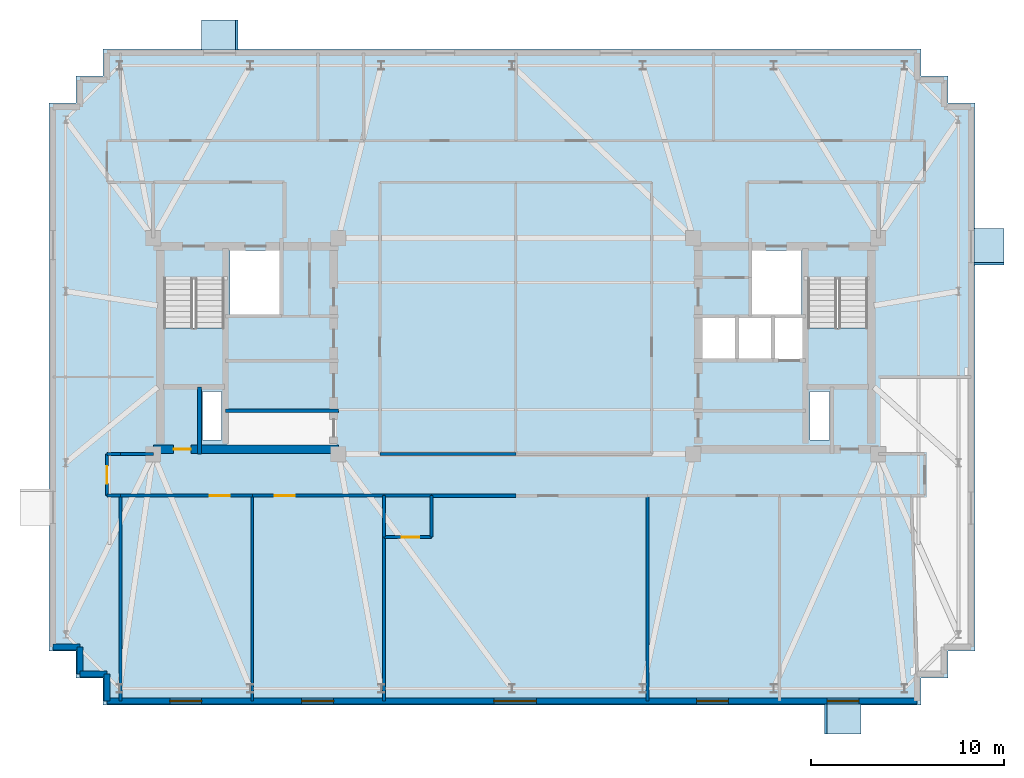
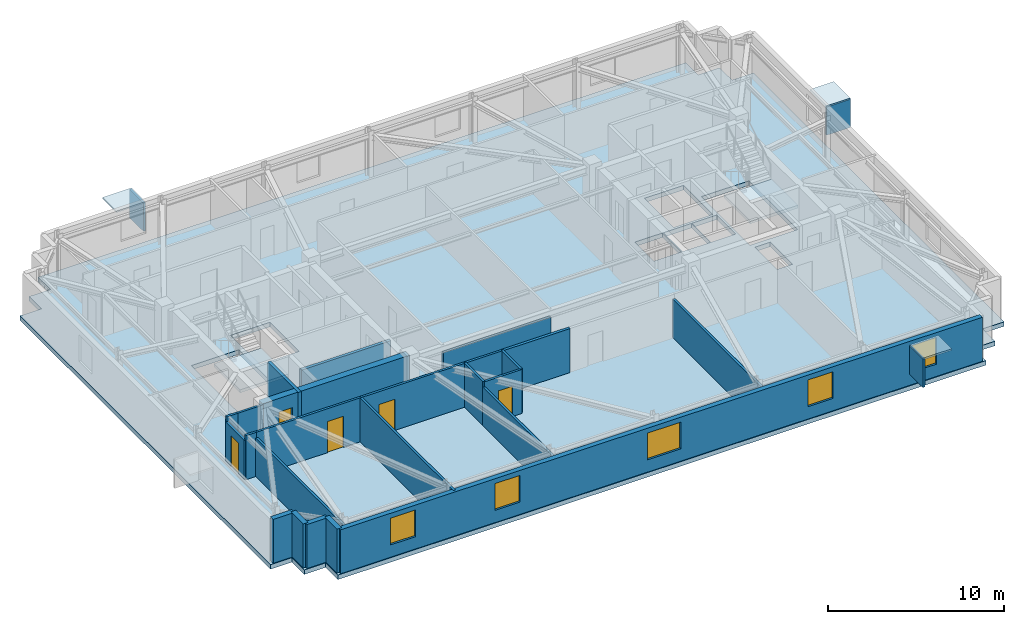
# One storey, part 5 of 10: 24 walls, 6 plates, 5 doors, 5 windows, 3 slabs, 10 openings, 2 elements without a shape of their own.
"""IFC4 building model written with IfcOpenShell, lengths in metres."""

from ifc_helpers import new_model, si_unit, direction, frame, frame_2d, origin, origin_2d, place, context, subcontext, project, spatial, polyline, rectangle, outline, extrude, material, layer, layer_set, type_object, element, fill, aggregate, save


model = new_model("IFC4")

# Units and contexts
model_context = context("Model", 3, precision=1e-05, world=origin(), true_north=direction((0.0, 1.0)))
body_context = subcontext(model_context, "Body", "Model", "MODEL_VIEW")
ifc_project = project(units=[si_unit("LENGTHUNIT", "METRE"), si_unit("AREAUNIT", "SQUARE_METRE"), si_unit("VOLUMEUNIT", "CUBIC_METRE"), si_unit("PLANEANGLEUNIT", "RADIAN"), si_unit("MASSUNIT", "GRAM", prefix="KILO")], contexts=[model_context])

# Site, building, storey
site_placement = place(None, origin())
site = spatial("IfcSite", under=ifc_project, at=site_placement, CompositionType="ELEMENT")
building_placement = place(site_placement, origin())
building = spatial("IfcBuilding", under=site, at=building_placement, Name="Qobustan Lattice House", CompositionType="ELEMENT")
storey_placement = place(building_placement, frame((0.0, 0.0, 235.0)))
storey = spatial("IfcBuildingStorey", under=building, at=storey_placement, Name="L66", CompositionType="ELEMENT", Elevation=235.0)

# Plates
ifc_material_1 = material(Name="Qobustan limestone GFRC", Category="masonry")
ifc_layer_1 = layer(ifc_material_1, 0.1201171875)
ifc_layer_set_1 = layer_set([ifc_layer_1], Name="Qobustan limestone GFRC")
plate_type = type_object("IfcPlateType", Name="SHD-HOOD-BROW", PredefinedType="USERDEFINED", material=ifc_layer_set_1)
plate_1_placement = place(storey_placement, frame((-15.360107421875, 16.1298828125, 2.699951171875), z_axis=(0.0, 0.0, 1.0), x_axis=(1.0, 0.0, 0.0)))
element("IfcPlate", 1, at=plate_1_placement, inside=storey, type_object=plate_type, Name="L66 splayed Qobustan stone hood brow", ObjectType="SUNSHADE", PredefinedType="USERDEFINED", context=body_context, shape_type="SweptSolid", body=[
    extrude(rectangle(XDim=1.889892578125, YDim=1.56005859375, at=origin_2d()), origin(), (0.0, 0.0, 1.0), 0.1201171875),
])
plate_2_placement = place(storey_placement, frame((-14.47509765625, 16.1298828125, 0.7900390625), z_axis=(0.0, 0.0, 1.0), x_axis=(1.0, 0.0, 0.0)))
element("IfcPlate", 2, at=plate_2_placement, inside=storey, type_object=plate_type, Name="L66 splayed Qobustan stone hood cheek", ObjectType="SUNSHADE", PredefinedType="USERDEFINED", context=body_context, shape_type="SweptSolid", body=[
    extrude(rectangle(XDim=0.1201171875, YDim=1.56005859375, at=origin_2d()), origin(), (0.0, 0.0, 1.0), 1.969970703125),
])
plate_3_placement = place(storey_placement, frame((24.530029296875, 5.159912109375, 2.699951171875), z_axis=(0.0, 0.0, 1.0), x_axis=(0.0, -1.0, 0.0)))
element("IfcPlate", 3, at=plate_3_placement, inside=storey, type_object=plate_type, Name="L66 splayed Qobustan stone hood brow", ObjectType="SUNSHADE", PredefinedType="USERDEFINED", context=body_context, shape_type="SweptSolid", body=[
    extrude(rectangle(XDim=1.889892578125, YDim=1.56005859375, at=origin_2d()), origin(), (0.0, 0.0, 1.0), 0.1201171875),
])
plate_4_placement = place(storey_placement, frame((24.530029296875, 4.27490234375, 0.7900390625), z_axis=(0.0, 0.0, 1.0), x_axis=(0.0, -1.0, 0.0)))
element("IfcPlate", 4, at=plate_4_placement, inside=storey, type_object=plate_type, Name="L66 splayed Qobustan stone hood cheek", ObjectType="SUNSHADE", PredefinedType="USERDEFINED", context=body_context, shape_type="SweptSolid", body=[
    extrude(rectangle(XDim=0.1201171875, YDim=1.56005859375, at=origin_2d()), origin(), (0.0, 0.0, 1.0), 1.969970703125),
])
plate_5_placement = place(storey_placement, frame((16.9599609375, -19.330078125, 2.699951171875), z_axis=(0.0, 0.0, 1.0), x_axis=(-1.0, 0.0, 0.0)))
element("IfcPlate", 5, at=plate_5_placement, inside=storey, type_object=plate_type, Name="L66 splayed Qobustan stone hood brow", ObjectType="SUNSHADE", PredefinedType="USERDEFINED", context=body_context, shape_type="SweptSolid", body=[
    extrude(rectangle(XDim=1.889892578125, YDim=1.56005859375, at=origin_2d()), origin(), (0.0, 0.0, 1.0), 0.1201171875),
])
plate_6_placement = place(storey_placement, frame((16.074951171875, -19.330078125, 0.7900390625), z_axis=(0.0, 0.0, 1.0), x_axis=(-1.0, 0.0, 0.0)))
element("IfcPlate", 6, at=plate_6_placement, inside=storey, type_object=plate_type, Name="L66 splayed Qobustan stone hood cheek", ObjectType="SUNSHADE", PredefinedType="USERDEFINED", context=body_context, shape_type="SweptSolid", body=[
    extrude(rectangle(XDim=0.1201171875, YDim=1.56005859375, at=origin_2d()), origin(), (0.0, 0.0, 1.0), 1.969970703125),
])

# Slab
ifc_material_2 = material(Name="Concrete C40/50", Category="concrete")
ifc_layer_2 = layer(ifc_material_2, 0.31005859375)
ifc_layer_set_2 = layer_set([ifc_layer_2], Name="Concrete C40/50")
slab_type_1 = type_object("IfcSlabType", Name="SLB-FLR-310", PredefinedType="FLOOR", material=ifc_layer_set_2)
slab_1_placement = place(storey_placement, frame((0.0, 0.0, -0.31005859375)))
element("IfcSlab", 7, at=slab_1_placement, inside=storey, type_object=slab_type_1, Name="L66 structural floor slab", PredefinedType="FLOOR", context=body_context, shape_type="SweptSolid", body=[
    extrude(outline(polyline([(-21.39990234375, -18.60009765625), (21.0, -18.60009765625), (21.0, -17.199951171875), (22.39990234375, -17.199951171875), (22.39990234375, -15.800048828125), (23.800048828125, -15.800048828125), (23.800048828125, 12.60009765625), (22.39990234375, 12.60009765625), (22.39990234375, 14.0), (21.0, 14.0), (21.0, 15.39990234375), (-21.39990234375, 15.39990234375), (-21.39990234375, 14.0), (-22.800048828125, 14.0), (-22.800048828125, 12.60009765625), (-24.199951171875, 12.60009765625), (-24.199951171875, -15.800048828125), (-22.800048828125, -15.800048828125), (-22.800048828125, -17.199951171875), (-21.39990234375, -17.199951171875), (-21.39990234375, -18.60009765625)]), holes=[polyline([(-18.25, -2.050048828125), (-18.25, 3.489990234375), (-15.1298828125, 3.489990234375), (-15.1298828125, -2.050048828125), (-18.25, -2.050048828125)]), polyline([(15.1298828125, -2.050048828125), (15.1298828125, 3.489990234375), (18.25, 3.489990234375), (18.25, -2.050048828125), (15.1298828125, -2.050048828125)]), polyline([(-14.820068359375, 1.64990234375), (-14.820068359375, 4.9599609375), (-12.25, 4.9599609375), (-12.25, 1.64990234375), (-14.820068359375, 1.64990234375)]), polyline([(12.25, 1.64990234375), (12.25, 4.9599609375), (14.820068359375, 4.9599609375), (14.820068359375, 1.64990234375), (12.25, 1.64990234375)]), polyline([(-16.260009765625, -4.8798828125), (-16.260009765625, -2.360107421875), (-15.260009765625, -2.360107421875), (-15.260009765625, -4.8798828125), (-16.260009765625, -4.8798828125)]), polyline([(15.260009765625, -4.8798828125), (15.260009765625, -2.360107421875), (16.260009765625, -2.360107421875), (16.260009765625, -4.8798828125), (15.260009765625, -4.8798828125)]), polyline([(13.360107421875, -0.679931640625), (13.360107421875, 1.47998046875), (14.97998046875, 1.47998046875), (14.97998046875, -0.679931640625), (13.360107421875, -0.679931640625)]), polyline([(9.6201171875, -0.679931640625), (9.6201171875, 1.47998046875), (11.43994140625, 1.47998046875), (11.43994140625, -0.679931640625), (9.6201171875, -0.679931640625)]), polyline([(11.5, -0.679931640625), (11.5, 1.47998046875), (13.320068359375, 1.47998046875), (13.320068359375, -0.679931640625), (11.5, -0.679931640625)])]), origin(), (0.0, 0.0, 1.0), 0.31005859375),
])

# Stair, slab
ifc_material_3 = material(Name="Concrete C40/50", Category="concrete")
stair_type = type_object("IfcStairType", Name="STR-CORE-DOGLEG", PredefinedType="HALF_TURN_STAIR", material=ifc_material_3)
stair_1_placement = place(storey_placement, origin())
stair_1 = element("IfcStair", 8, at=stair_1_placement, inside=storey, type_object=stair_type, Name="L66 West protected exit stair ST-W1", PredefinedType="HALF_TURN_STAIR")
ifc_material_4 = material(Name="Concrete C40/50", Category="concrete")
ifc_layer_3 = layer(ifc_material_4, 0.199951171875)
ifc_layer_set_3 = layer_set([ifc_layer_3], Name="Concrete C40/50")
slab_type_2 = type_object("IfcSlabType", Name="SLB-LANDING-200", PredefinedType="LANDING", material=ifc_layer_set_3)
slab_2_placement = place(storey_placement, frame((0.0, 0.0, 1.47509765625)))
slab_2 = element("IfcSlab", 9, at=slab_2_placement, type_object=slab_type_2, Name="ST-W1 landing 1", PredefinedType="LANDING", context=body_context, shape_type="SweptSolid", body=[
    extrude(outline(polyline([(-18.25, 0.93505859375), (-18.25, -2.050048828125), (-15.1298828125, -2.050048828125), (-15.1298828125, 0.93505859375), (-18.25, 0.93505859375)])), origin(), (0.0, 0.0, 1.0), 0.199951171875),
])
aggregate(stair_1, [slab_2])

stair_2_placement = place(storey_placement, origin())
stair_2 = element("IfcStair", 10, at=stair_2_placement, inside=storey, type_object=stair_type, Name="L66 East protected exit stair ST-E1", PredefinedType="HALF_TURN_STAIR")
slab_3_placement = place(storey_placement, frame((0.0, 0.0, 1.47509765625)))
slab_3 = element("IfcSlab", 11, at=slab_3_placement, type_object=slab_type_2, Name="ST-E1 landing 1", PredefinedType="LANDING", context=body_context, shape_type="SweptSolid", body=[
    extrude(outline(polyline([(15.1298828125, 0.93505859375), (15.1298828125, -2.050048828125), (18.25, -2.050048828125), (18.25, 0.93505859375), (15.1298828125, 0.93505859375)])), origin(), (0.0, 0.0, 1.0), 0.199951171875),
])
aggregate(stair_2, [slab_3])

# Wall, opening, door
ifc_material_5 = material(Name="Concrete C50/60", Category="concrete")
ifc_layer_4 = layer(ifc_material_5, 0.43994140625)
ifc_layer_set_4 = layer_set([ifc_layer_4], Name="Concrete C50/60")
wall_type_1 = type_object("IfcWallType", Name="WAL-CORE-440", PredefinedType="SHEAR", material=ifc_layer_set_4)
wall_1_placement = place(storey_placement, frame((-18.800048828125, -5.35009765625, 0.0), z_axis=(0.0, 0.0, 1.0), x_axis=(1.0, 0.0, 0.0)))
wall_1 = element("IfcWall", 12, at=wall_1_placement, inside=storey, type_object=wall_type_1, Name="L66 split-core shear wall CW-S", PredefinedType="SHEAR", context=body_context, shape_type="SweptSolid", body=[
    extrude(rectangle(XDim=9.60009765625, YDim=0.43994140625, at=frame_2d((4.800048828125, 0.0))), origin(), (0.0, 0.0, 1.0), 3.0400390625),
])
opening_1_placement = place(wall_1_placement, frame((1.050048828125, 0.0, 0.0)))
opening_1 = element("IfcOpeningElement", 13, at=opening_1_placement, cuts=wall_1, Name="Opening RD-01", PredefinedType="OPENING", context=body_context, shape_type="SweptSolid", body=[
    extrude(rectangle(XDim=0.89990234375, YDim=2.10009765625, at=frame_2d((0.449951171875, 1.050048828125))), frame((0.0, 0.22998046875, 0.0), z_axis=(0.0, -1.0, 0.0), x_axis=(1.0, 0.0, 0.0)), (0.0, 0.0, 1.0), 0.4599609375),
])
ifc_material_6 = material(Name="Persian walnut timber and steel frame door", Category="steel")
door_type_1 = type_object("IfcDoorType", Name="DOR-RISER-FD-900x2100", OperationType="NOTDEFINED", PredefinedType="DOOR", material=ifc_material_6)
door_1_placement = place(opening_1_placement, origin())
door_1 = element("IfcDoor", 14, at=door_1_placement, inside=storey, type_object=door_type_1, Name="L66 core service riser access door W", OperationType="SINGLE_SWING_RIGHT", OverallHeight=2.10009765625, OverallWidth=0.89990234375, PredefinedType="DOOR", context=body_context, shape_type="SweptSolid", body=[
    extrude(rectangle(XDim=0.89990234375, YDim=2.10009765625, at=frame_2d((0.449951171875, 1.050048828125))), frame((0.0, 0.02490234375, 0.0), z_axis=(0.0, -1.0, 0.0), x_axis=(1.0, 0.0, 0.0)), (0.0, 0.0, 1.0), 0.050048828125),
])
fill(opening_1, door_1)

# Walls
ifc_material_7 = material(Name="Precast concrete C40/50", Category="concrete")
ifc_layer_5 = layer(ifc_material_7, 0.320068359375)
ifc_layer_set_5 = layer_set([ifc_layer_5], Name="Precast concrete C40/50")
wall_type_2 = type_object("IfcWallType", Name="WAL-EXT-STONE-320", PredefinedType="SOLIDWALL", material=ifc_layer_set_5)
wall_2_placement = place(storey_placement, frame((-21.199951171875, -18.39990234375, 0.0), z_axis=(0.0, 0.0, 1.0), x_axis=(0.0, 1.0, 0.0)))
element("IfcWall", 15, at=wall_2_placement, inside=storey, type_object=wall_type_2, Name="L66 exterior limestone-clad wall 1", PredefinedType="SOLIDWALL", context=body_context, shape_type="SweptSolid", body=[
    extrude(rectangle(XDim=1.39990234375, YDim=0.320068359375, at=frame_2d((0.699951171875, 0.0))), origin(), (0.0, 0.0, 1.0), 3.0400390625),
])
wall_3_placement = place(storey_placement, frame((-21.199951171875, -17.0, 0.0), z_axis=(0.0, 0.0, 1.0), x_axis=(-1.0, 0.0, 0.0)))
element("IfcWall", 16, at=wall_3_placement, inside=storey, type_object=wall_type_2, Name="L66 exterior limestone-clad wall 2", PredefinedType="SOLIDWALL", context=body_context, shape_type="SweptSolid", body=[
    extrude(rectangle(XDim=1.400146484375, YDim=0.320068359375, at=frame_2d((0.7001953125, 0.0))), origin(), (0.0, 0.0, 1.0), 3.0400390625),
])
for number, where, z_axis, x_axis, name in (
    (17, (-22.60009765625, -17.0, 0.0), (0.0, 0.0, 1.0), (0.0, 1.0, 0.0), "L66 exterior limestone-clad wall 3"),
    (18, (-22.60009765625, -15.60009765625, 0.0), (0.0, 0.0, 1.0), (-1.0, 0.0, 0.0), "L66 exterior limestone-clad wall 4"),
):
    element("IfcWall", number, at=place(storey_placement, frame(where, z_axis=z_axis, x_axis=x_axis)), inside=storey, type_object=wall_type_2, Name=name, PredefinedType="SOLIDWALL", context=body_context, shape_type="SweptSolid", body=[
        extrude(rectangle(XDim=1.39990234375, YDim=0.320068359375, at=frame_2d((0.699951171875, 0.0))), origin(), (0.0, 0.0, 1.0), 3.0400390625),
    ])

# Wall, openings, windows
wall_4_placement = place(storey_placement, frame((20.800048828125, -18.39990234375, 0.0), z_axis=(0.0, 0.0, 1.0), x_axis=(-1.0, 0.0, 0.0)))
wall_4 = element("IfcWall", 19, at=wall_4_placement, inside=storey, type_object=wall_type_2, Name="L66 exterior limestone-clad wall 20", PredefinedType="SOLIDWALL", context=body_context, shape_type="SweptSolid", body=[
    extrude(rectangle(XDim=42.0, YDim=0.320068359375, at=frame_2d((21.0, 0.0))), origin(), (0.0, 0.0, 1.0), 3.0400390625),
])
opening_2_placement = place(wall_4_placement, frame((3.014892578125, 0.0, 0.85009765625)))
opening_2 = element("IfcOpeningElement", 20, at=opening_2_placement, cuts=wall_4, Name="Opening WN-09", PredefinedType="OPENING", context=body_context, shape_type="SweptSolid", body=[
    extrude(rectangle(XDim=1.64990234375, YDim=1.85009765625, at=frame_2d((0.824951171875, 0.925048828125))), frame((0.0, 0.169921875, 0.0), z_axis=(0.0, -1.0, 0.0), x_axis=(1.0, 0.0, 0.0)), (0.0, 0.0, 1.0), 0.340087890625),
])
opening_3_placement = place(wall_4_placement, frame((9.77490234375, 0.0, 0.85009765625)))
opening_3 = element("IfcOpeningElement", 21, at=opening_3_placement, cuts=wall_4, Name="Opening WN-09", PredefinedType="OPENING", context=body_context, shape_type="SweptSolid", body=[
    extrude(rectangle(XDim=1.64990234375, YDim=1.85009765625, at=frame_2d((0.824951171875, 0.925048828125))), frame((0.0, 0.169921875, 0.0), z_axis=(0.0, -1.0, 0.0), x_axis=(1.0, 0.0, 0.0)), (0.0, 0.0, 1.0), 0.340087890625),
])
opening_4_placement = place(wall_4_placement, frame((19.739990234375, 0.0, 0.85009765625)))
opening_4 = element("IfcOpeningElement", 22, at=opening_4_placement, cuts=wall_4, Name="Opening WN-03", PredefinedType="OPENING", context=body_context, shape_type="SweptSolid", body=[
    extrude(rectangle(XDim=2.199951171875, YDim=1.85009765625, at=frame_2d((1.10009765625, 0.925048828125))), frame((0.0, 0.169921875, 0.0), z_axis=(0.0, -1.0, 0.0), x_axis=(1.0, 0.0, 0.0)), (0.0, 0.0, 1.0), 0.340087890625),
])
opening_5_placement = place(wall_4_placement, frame((30.2548828125, 0.0, 0.85009765625)))
opening_5 = element("IfcOpeningElement", 23, at=opening_5_placement, cuts=wall_4, Name="Opening WN-09", PredefinedType="OPENING", context=body_context, shape_type="SweptSolid", body=[
    extrude(rectangle(XDim=1.64990234375, YDim=1.85009765625, at=frame_2d((0.824951171875, 0.925048828125))), frame((0.0, 0.169921875, 0.0), z_axis=(0.0, -1.0, 0.0), x_axis=(1.0, 0.0, 0.0)), (0.0, 0.0, 1.0), 0.340087890625),
])
opening_6_placement = place(wall_4_placement, frame((37.094970703125, 0.0, 0.85009765625)))
opening_6 = element("IfcOpeningElement", 24, at=opening_6_placement, cuts=wall_4, Name="Opening WN-09", PredefinedType="OPENING", context=body_context, shape_type="SweptSolid", body=[
    extrude(rectangle(XDim=1.64990234375, YDim=1.85009765625, at=frame_2d((0.824951171875, 0.925048828125))), frame((0.0, 0.169921875, 0.0), z_axis=(0.0, -1.0, 0.0), x_axis=(1.0, 0.0, 0.0)), (0.0, 0.0, 1.0), 0.340087890625),
])
ifc_material_8 = material(Name="Double-glazed low-E aluminium window", Category="aluminium")
window_type_1 = type_object("IfcWindowType", Name="WIN-STU-1650x1850", PartitioningType="SINGLE_PANEL", PredefinedType="WINDOW", material=ifc_material_8)
window_1_placement = place(opening_2_placement, origin())
window_1 = element("IfcWindow", 25, at=window_1_placement, inside=storey, type_object=window_type_1, Name="L66 Academic seminar room window", OverallHeight=1.85009765625, OverallWidth=1.64990234375, PartitioningType="SINGLE_PANEL", PredefinedType="WINDOW", context=body_context, shape_type="SweptSolid", body=[
    extrude(rectangle(XDim=1.64990234375, YDim=1.85009765625, at=frame_2d((0.824951171875, 0.925048828125))), frame((0.0, 0.030029296875, 0.0), z_axis=(0.0, -1.0, 0.0), x_axis=(1.0, 0.0, 0.0)), (0.0, 0.0, 1.0), 0.06005859375),
])
fill(opening_2, window_1)
window_2_placement = place(opening_3_placement, origin())
window_2 = element("IfcWindow", 26, at=window_2_placement, inside=storey, type_object=window_type_1, Name="L66 Group study room window", OverallHeight=1.85009765625, OverallWidth=1.64990234375, PartitioningType="SINGLE_PANEL", PredefinedType="WINDOW", context=body_context, shape_type="SweptSolid", body=[
    extrude(rectangle(XDim=1.64990234375, YDim=1.85009765625, at=frame_2d((0.824951171875, 0.925048828125))), frame((0.0, 0.030029296875, 0.0), z_axis=(0.0, -1.0, 0.0), x_axis=(1.0, 0.0, 0.0)), (0.0, 0.0, 1.0), 0.06005859375),
])
fill(opening_3, window_2)
window_3_placement = place(opening_5_placement, origin())
window_3 = element("IfcWindow", 27, at=window_3_placement, inside=storey, type_object=window_type_1, Name="L66 Focus study room S1B window", OverallHeight=1.85009765625, OverallWidth=1.64990234375, PartitioningType="SINGLE_PANEL", PredefinedType="WINDOW", context=body_context, shape_type="SweptSolid", body=[
    extrude(rectangle(XDim=1.64990234375, YDim=1.85009765625, at=frame_2d((0.824951171875, 0.925048828125))), frame((0.0, 0.030029296875, 0.0), z_axis=(0.0, -1.0, 0.0), x_axis=(1.0, 0.0, 0.0)), (0.0, 0.0, 1.0), 0.06005859375),
])
fill(opening_5, window_3)
window_4_placement = place(opening_6_placement, origin())
window_4 = element("IfcWindow", 28, at=window_4_placement, inside=storey, type_object=window_type_1, Name="L66 Focus study room S1A window", OverallHeight=1.85009765625, OverallWidth=1.64990234375, PartitioningType="SINGLE_PANEL", PredefinedType="WINDOW", context=body_context, shape_type="SweptSolid", body=[
    extrude(rectangle(XDim=1.64990234375, YDim=1.85009765625, at=frame_2d((0.824951171875, 0.925048828125))), frame((0.0, 0.030029296875, 0.0), z_axis=(0.0, -1.0, 0.0), x_axis=(1.0, 0.0, 0.0)), (0.0, 0.0, 1.0), 0.06005859375),
])
fill(opening_6, window_4)
ifc_material_9 = material(Name="Double-glazed low-E aluminium window", Category="aluminium")
window_type_2 = type_object("IfcWindowType", Name="WIN-WIDE-2200x1850", PartitioningType="SINGLE_PANEL", PredefinedType="WINDOW", material=ifc_material_9)
window_5_placement = place(opening_4_placement, origin())
window_5 = element("IfcWindow", 29, at=window_5_placement, inside=storey, type_object=window_type_2, Name="L66 Kitchenette and studio apartment L66-S2 window", OverallHeight=1.85009765625, OverallWidth=2.199951171875, PartitioningType="SINGLE_PANEL", PredefinedType="WINDOW", context=body_context, shape_type="SweptSolid", body=[
    extrude(rectangle(XDim=2.199951171875, YDim=1.85009765625, at=frame_2d((1.10009765625, 0.925048828125))), frame((0.0, 0.030029296875, 0.0), z_axis=(0.0, -1.0, 0.0), x_axis=(1.0, 0.0, 0.0)), (0.0, 0.0, 1.0), 0.06005859375),
])
fill(opening_4, window_5)

# Walls
ifc_material_10 = material(Name="Gypsum fireboard acoustic partition", Category="gypsum")
ifc_layer_6 = layer(ifc_material_10, 0.179931640625)
ifc_layer_set_6 = layer_set([ifc_layer_6], Name="Gypsum fireboard acoustic partition")
wall_type_3 = type_object("IfcWallType", Name="WAL-FIRE-180", PredefinedType="PARTITIONING", material=ifc_layer_set_6)
wall_5_placement = place(storey_placement, frame((-15.050048828125, -3.35009765625, 0.0), z_axis=(0.0, 0.0, 1.0), x_axis=(1.0, 0.0, 0.0)))
element("IfcWall", 30, at=wall_5_placement, inside=storey, type_object=wall_type_3, Name="L66 interior partition 10", PredefinedType="PARTITIONING", context=body_context, shape_type="SweptSolid", body=[
    extrude(rectangle(XDim=5.85009765625, YDim=0.179931640625, at=frame_2d((2.925048828125, 0.0))), origin(), (0.0, 0.0, 1.0), 2.7548828125),
])
wall_6_placement = place(storey_placement, frame((0.0, -7.75, 0.0), z_axis=(0.0, 0.0, 1.0), x_axis=(-1.0, 0.0, 0.0)))
element("IfcWall", 31, at=wall_6_placement, inside=storey, type_object=wall_type_3, Name="L66 interior partition 52", PredefinedType="PARTITIONING", context=body_context, shape_type="SweptSolid", body=[
    extrude(rectangle(XDim=4.383056640625, YDim=0.179931640625, at=frame_2d((2.19140625, 0.0))), origin(), (0.0, 0.0, 1.0), 3.0400390625),
])

# Wall, opening, door
ifc_material_11 = material(Name="Acoustic twin-stud gypsum partition", Category="gypsum")
ifc_layer_7 = layer(ifc_material_11, 0.14990234375)
ifc_layer_set_7 = layer_set([ifc_layer_7], Name="Acoustic twin-stud gypsum partition")
wall_type_4 = type_object("IfcWallType", Name="WAL-PART-150", PredefinedType="PARTITIONING", material=ifc_layer_set_7)
wall_7_placement = place(storey_placement, frame((-21.199951171875, -7.75, 0.0), z_axis=(0.0, 0.0, 1.0), x_axis=(0.0, 1.0, 0.0)))
wall_7 = element("IfcWall", 32, at=wall_7_placement, inside=storey, type_object=wall_type_4, Name="L66 interior partition 46", PredefinedType="PARTITIONING", context=body_context, shape_type="SweptSolid", body=[
    extrude(rectangle(XDim=2.14990234375, YDim=0.14990234375, at=frame_2d((1.074951171875, 0.0))), origin(), (0.0, 0.0, 1.0), 2.695068359375),
])
opening_7_placement = place(wall_7_placement, frame((0.625, 0.0, 0.0)))
opening_7 = element("IfcOpeningElement", 33, at=opening_7_placement, cuts=wall_7, Name="Opening WD-01", PredefinedType="OPENING", context=body_context, shape_type="SweptSolid", body=[
    extrude(rectangle(XDim=0.89990234375, YDim=2.10009765625, at=frame_2d((0.449951171875, 1.050048828125))), frame((0.0, 0.0849609375, 0.0), z_axis=(0.0, -1.0, 0.0), x_axis=(1.0, 0.0, 0.0)), (0.0, 0.0, 1.0), 0.169921875),
])
ifc_material_12 = material(Name="Persian walnut timber and steel frame door", Category="steel")
door_type_2 = type_object("IfcDoorType", Name="DOR-WET-900x2100", OperationType="NOTDEFINED", PredefinedType="DOOR", material=ifc_material_12)
door_2_placement = place(opening_7_placement, origin())
door_2 = element("IfcDoor", 34, at=door_2_placement, inside=storey, type_object=door_type_2, Name="L66 South-west floor corridor to Academic seminar room door", OperationType="SINGLE_SWING_RIGHT", OverallHeight=2.10009765625, OverallWidth=0.89990234375, PredefinedType="DOOR", context=body_context, shape_type="SweptSolid", body=[
    extrude(rectangle(XDim=0.89990234375, YDim=2.10009765625, at=frame_2d((0.449951171875, 1.050048828125))), frame((0.0, 0.02490234375, 0.0), z_axis=(0.0, -1.0, 0.0), x_axis=(1.0, 0.0, 0.0)), (0.0, 0.0, 1.0), 0.050048828125),
])
fill(opening_7, door_2)

# Walls
wall_8_placement = place(storey_placement, frame((-20.5, -5.60009765625, 0.0), z_axis=(0.0, 0.0, 1.0), x_axis=(1.0, 0.0, 0.0)))
element("IfcWall", 35, at=wall_8_placement, inside=storey, type_object=wall_type_4, Name="L66 interior partition 47", PredefinedType="PARTITIONING", context=body_context, shape_type="SweptSolid", body=[
    extrude(rectangle(XDim=1.699951171875, YDim=0.14990234375, at=frame_2d((0.85009765625, 0.0))), origin(), (0.0, 0.0, 1.0), 3.0400390625),
])
for number, where, z_axis, x_axis, name in (
    (36, (-20.5, -7.75, 0.0), (0.0, 0.0, 1.0), (-1.0, 0.0, 0.0), "L66 interior partition 48"),
    (37, (-21.199951171875, -5.60009765625, 0.0), (0.0, 0.0, 1.0), (1.0, 0.0, 0.0), "L66 interior partition 49"),
):
    element("IfcWall", number, at=place(storey_placement, frame(where, z_axis=z_axis, x_axis=x_axis)), inside=storey, type_object=wall_type_4, Name=name, PredefinedType="PARTITIONING", context=body_context, shape_type="SweptSolid", body=[
        extrude(rectangle(XDim=0.699951171875, YDim=0.14990234375, at=frame_2d((0.35009765625, 0.0))), origin(), (0.0, 0.0, 1.0), 3.0400390625),
    ])

# Wall, opening, door
wall_9_placement = place(storey_placement, frame((-13.66650390625, -7.75, 0.0), z_axis=(0.0, 0.0, 1.0), x_axis=(-1.0, 0.0, 0.0)))
wall_9 = element("IfcWall", 38, at=wall_9_placement, inside=storey, type_object=wall_type_4, Name="L66 interior partition 50", PredefinedType="PARTITIONING", context=body_context, shape_type="SweptSolid", body=[
    extrude(rectangle(XDim=6.83349609375, YDim=0.14990234375, at=frame_2d((3.416748046875, 0.0))), origin(), (0.0, 0.0, 1.0), 3.0400390625),
])
opening_8_placement = place(wall_9_placement, frame((1.157958984375, 0.0, 0.0)))
opening_8 = element("IfcOpeningElement", 39, at=opening_8_placement, cuts=wall_9, Name="Opening ID-02", PredefinedType="OPENING", context=body_context, shape_type="SweptSolid", body=[
    extrude(rectangle(XDim=1.050048828125, YDim=2.14990234375, at=frame_2d((0.52490234375, 1.074951171875))), frame((0.0, 0.0849609375, 0.0), z_axis=(0.0, -1.0, 0.0), x_axis=(1.0, 0.0, 0.0)), (0.0, 0.0, 1.0), 0.169921875),
])
ifc_material_13 = material(Name="Persian walnut timber and steel frame door", Category="steel")
door_type_3 = type_object("IfcDoorType", Name="DOR-STUDY-1050x2150", OperationType="NOTDEFINED", PredefinedType="DOOR", material=ifc_material_13)
door_3_placement = place(opening_8_placement, origin())
door_3 = element("IfcDoor", 40, at=door_3_placement, inside=storey, type_object=door_type_3, Name="L66 South-west floor corridor to Focus study room S1A door", OperationType="SINGLE_SWING_LEFT", OverallHeight=2.14990234375, OverallWidth=1.050048828125, PredefinedType="DOOR", context=body_context, shape_type="SweptSolid", body=[
    extrude(rectangle(XDim=1.050048828125, YDim=2.14990234375, at=frame_2d((0.52490234375, 1.074951171875))), frame((0.0, 0.02490234375, 0.0), z_axis=(0.0, -1.0, 0.0), x_axis=(1.0, 0.0, 0.0)), (0.0, 0.0, 1.0), 0.050048828125),
])
fill(opening_8, door_3)

wall_10_placement = place(storey_placement, frame((-6.8330078125, -7.75, 0.0), z_axis=(0.0, 0.0, 1.0), x_axis=(-1.0, 0.0, 0.0)))
wall_10 = element("IfcWall", 41, at=wall_10_placement, inside=storey, type_object=wall_type_4, Name="L66 interior partition 51", PredefinedType="PARTITIONING", context=body_context, shape_type="SweptSolid", body=[
    extrude(rectangle(XDim=6.83349609375, YDim=0.14990234375, at=frame_2d((3.416748046875, 0.0))), origin(), (0.0, 0.0, 1.0), 3.0400390625),
])
opening_9_placement = place(wall_10_placement, frame((4.62548828125, 0.0, 0.0)))
opening_9 = element("IfcOpeningElement", 42, at=opening_9_placement, cuts=wall_10, Name="Opening ID-02", PredefinedType="OPENING", context=body_context, shape_type="SweptSolid", body=[
    extrude(rectangle(XDim=1.050048828125, YDim=2.14990234375, at=frame_2d((0.52490234375, 1.074951171875))), frame((0.0, 0.0849609375, 0.0), z_axis=(0.0, -1.0, 0.0), x_axis=(1.0, 0.0, 0.0)), (0.0, 0.0, 1.0), 0.169921875),
])
door_4_placement = place(opening_9_placement, origin())
door_4 = element("IfcDoor", 43, at=door_4_placement, inside=storey, type_object=door_type_3, Name="L66 South-west floor corridor to Focus study room S1B door", OperationType="SINGLE_SWING_RIGHT", OverallHeight=2.14990234375, OverallWidth=1.050048828125, PredefinedType="DOOR", context=body_context, shape_type="SweptSolid", body=[
    extrude(rectangle(XDim=1.050048828125, YDim=2.14990234375, at=frame_2d((0.52490234375, 1.074951171875))), frame((0.0, 0.02490234375, 0.0), z_axis=(0.0, -1.0, 0.0), x_axis=(1.0, 0.0, 0.0)), (0.0, 0.0, 1.0), 0.050048828125),
])
fill(opening_9, door_4)

# Walls
wall_11_placement = place(storey_placement, frame((-7.050048828125, -5.60009765625, 0.0), z_axis=(0.0, 0.0, 1.0), x_axis=(1.0, 0.0, 0.0)))
element("IfcWall", 44, at=wall_11_placement, inside=storey, type_object=wall_type_4, Name="L66 interior partition 54", PredefinedType="PARTITIONING", context=body_context, shape_type="SweptSolid", body=[
    extrude(rectangle(XDim=7.050048828125, YDim=0.14990234375, at=frame_2d((3.52490234375, 0.0))), origin(), (0.0, 0.0, 1.0), 2.52490234375),
])
wall_12_placement = place(storey_placement, frame((-20.5, -7.75, 0.0), z_axis=(0.0, 0.0, 1.0), x_axis=(0.0, -1.0, 0.0)))
element("IfcWall", 45, at=wall_12_placement, inside=storey, type_object=wall_type_4, Name="L66 interior partition 66", PredefinedType="PARTITIONING", context=body_context, shape_type="SweptSolid", body=[
    extrude(rectangle(XDim=10.64990234375, YDim=0.14990234375, at=frame_2d((5.324951171875, 0.0))), origin(), (0.0, 0.0, 1.0), 2.6650390625),
])
wall_13_placement = place(storey_placement, frame((-13.66650390625, -7.75, 0.0), z_axis=(0.0, 0.0, 1.0), x_axis=(0.0, -1.0, 0.0)))
element("IfcWall", 46, at=wall_13_placement, inside=storey, type_object=wall_type_4, Name="L66 interior partition 75", PredefinedType="PARTITIONING", context=body_context, shape_type="SweptSolid", body=[
    extrude(rectangle(XDim=10.64990234375, YDim=0.14990234375, at=frame_2d((5.324951171875, 0.0))), origin(), (0.0, 0.0, 1.0), 3.0400390625),
])
wall_14_placement = place(storey_placement, frame((-6.8330078125, -9.89990234375, 0.0), z_axis=(0.0, 0.0, 1.0), x_axis=(0.0, -1.0, 0.0)))
element("IfcWall", 47, at=wall_14_placement, inside=storey, type_object=wall_type_4, Name="L66 interior partition 76", PredefinedType="PARTITIONING", context=body_context, shape_type="SweptSolid", body=[
    extrude(rectangle(XDim=8.5, YDim=0.14990234375, at=frame_2d((4.25, 0.0))), origin(), (0.0, 0.0, 1.0), 2.6650390625),
])
wall_15_placement = place(storey_placement, frame((6.8330078125, -7.75, 0.0), z_axis=(0.0, 0.0, 1.0), x_axis=(0.0, -1.0, 0.0)))
element("IfcWall", 48, at=wall_15_placement, inside=storey, type_object=wall_type_4, Name="L66 interior partition 80", PredefinedType="PARTITIONING", context=body_context, shape_type="SweptSolid", body=[
    extrude(rectangle(XDim=10.64990234375, YDim=0.14990234375, at=frame_2d((5.324951171875, 0.0))), origin(), (0.0, 0.0, 1.0), 2.6650390625),
])
ifc_material_14 = material(Name="Concrete C40/50", Category="concrete")
ifc_layer_8 = layer(ifc_material_14, 0.199951171875)
ifc_layer_set_8 = layer_set([ifc_layer_8], Name="Concrete C40/50")
wall_type_5 = type_object("IfcWallType", Name="WAL-SHAFT-200", PredefinedType="PARTITIONING", material=ifc_layer_set_8)
wall_16_placement = place(storey_placement, frame((-16.39990234375, -5.60009765625, 0.0), z_axis=(0.0, 0.0, 1.0), x_axis=(0.0, 1.0, 0.0)))
element("IfcWall", 49, at=wall_16_placement, inside=storey, type_object=wall_type_5, Name="L66 interior partition 1", PredefinedType="PARTITIONING", context=body_context, shape_type="SweptSolid", body=[
    extrude(rectangle(XDim=3.489990234375, YDim=0.199951171875, at=frame_2d((1.7451171875, 0.0))), origin(), (0.0, 0.0, 1.0), 3.0400390625),
])
ifc_material_15 = material(Name="Moisture-resistant acoustic plumbing wall", Category="gypsum")
ifc_layer_9 = layer(ifc_material_15, 0.14990234375)
ifc_layer_set_9 = layer_set([ifc_layer_9], Name="Moisture-resistant acoustic plumbing wall")
wall_type_6 = type_object("IfcWallType", Name="WAL-WET-150", PredefinedType="PLUMBINGWALL", material=ifc_layer_set_9)
wall_17_placement = place(storey_placement, frame((-4.383056640625, -7.75, 0.0), z_axis=(0.0, 0.0, 1.0), x_axis=(-1.0, 0.0, 0.0)))
element("IfcWall", 50, at=wall_17_placement, inside=storey, type_object=wall_type_6, Name="L66 interior partition 53", PredefinedType="PLUMBINGWALL", context=body_context, shape_type="SweptSolid", body=[
    extrude(rectangle(XDim=2.449951171875, YDim=0.14990234375, at=frame_2d((1.22509765625, 0.0))), origin(), (0.0, 0.0, 1.0), 3.0400390625),
])
wall_18_placement = place(storey_placement, frame((-6.8330078125, -7.75, 0.0), z_axis=(0.0, 0.0, 1.0), x_axis=(0.0, -1.0, 0.0)))
element("IfcWall", 51, at=wall_18_placement, inside=storey, type_object=wall_type_6, Name="L66 interior partition 77", PredefinedType="PLUMBINGWALL", context=body_context, shape_type="SweptSolid", body=[
    extrude(rectangle(XDim=2.14990234375, YDim=0.14990234375, at=frame_2d((1.074951171875, 0.0))), origin(), (0.0, 0.0, 1.0), 3.0400390625),
])

# Wall, opening, door
wall_19_placement = place(storey_placement, frame((-6.8330078125, -9.89990234375, 0.0), z_axis=(0.0, 0.0, 1.0), x_axis=(1.0, 0.0, 0.0)))
wall_19 = element("IfcWall", 52, at=wall_19_placement, inside=storey, type_object=wall_type_6, Name="L66 interior partition 78", PredefinedType="PLUMBINGWALL", context=body_context, shape_type="SweptSolid", body=[
    extrude(rectangle(XDim=2.449951171875, YDim=0.14990234375, at=frame_2d((1.22509765625, 0.0))), origin(), (0.0, 0.0, 1.0), 3.0400390625),
])
opening_10_placement = place(wall_19_placement, frame((0.92138671875, 0.0, 0.0)))
opening_10 = element("IfcOpeningElement", 53, at=opening_10_placement, cuts=wall_19, Name="Opening WD-01", PredefinedType="OPENING", context=body_context, shape_type="SweptSolid", body=[
    extrude(rectangle(XDim=0.89990234375, YDim=2.10009765625, at=frame_2d((0.449951171875, 1.050048828125))), frame((0.0, 0.0849609375, 0.0), z_axis=(0.0, -1.0, 0.0), x_axis=(1.0, 0.0, 0.0)), (0.0, 0.0, 1.0), 0.169921875),
])
door_5_placement = place(opening_10_placement, origin())
door_5 = element("IfcDoor", 54, at=door_5_placement, inside=storey, type_object=door_type_2, Name="L66 Kitchenette and studio apartment L66-S2 to En-suite bathroom L66-S2 door", OperationType="SINGLE_SWING_LEFT", OverallHeight=2.10009765625, OverallWidth=0.89990234375, PredefinedType="DOOR", context=body_context, shape_type="SweptSolid", body=[
    extrude(rectangle(XDim=0.89990234375, YDim=2.10009765625, at=frame_2d((0.449951171875, 1.050048828125))), frame((0.0, 0.02490234375, 0.0), z_axis=(0.0, -1.0, 0.0), x_axis=(1.0, 0.0, 0.0)), (0.0, 0.0, 1.0), 0.050048828125),
])
fill(opening_10, door_5)

# Wall
wall_20_placement = place(storey_placement, frame((-4.383056640625, -9.89990234375, 0.0), z_axis=(0.0, 0.0, 1.0), x_axis=(0.0, 1.0, 0.0)))
element("IfcWall", 55, at=wall_20_placement, inside=storey, type_object=wall_type_6, Name="L66 interior partition 79", PredefinedType="PLUMBINGWALL", context=body_context, shape_type="SweptSolid", body=[
    extrude(rectangle(XDim=2.14990234375, YDim=0.14990234375, at=frame_2d((1.074951171875, 0.0))), origin(), (0.0, 0.0, 1.0), 3.0400390625),
])

save(model, "model.ifc")
